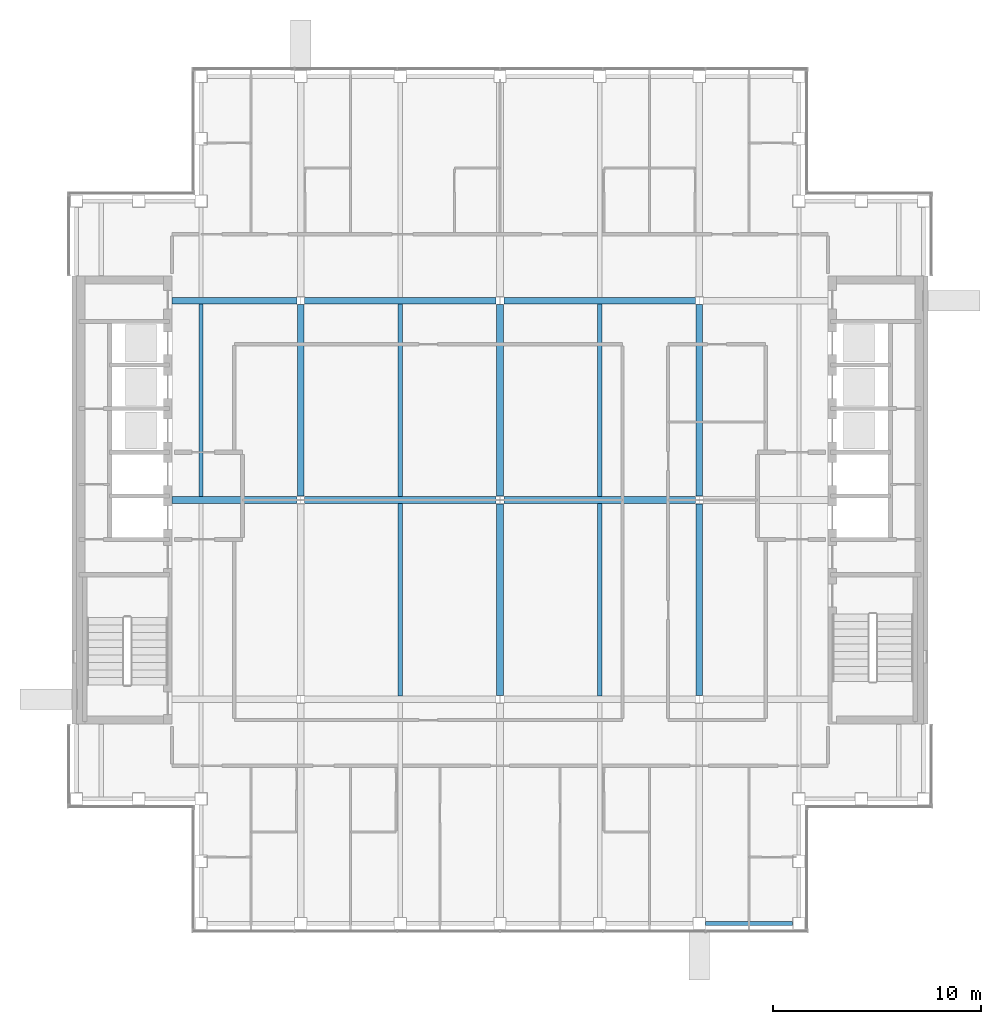
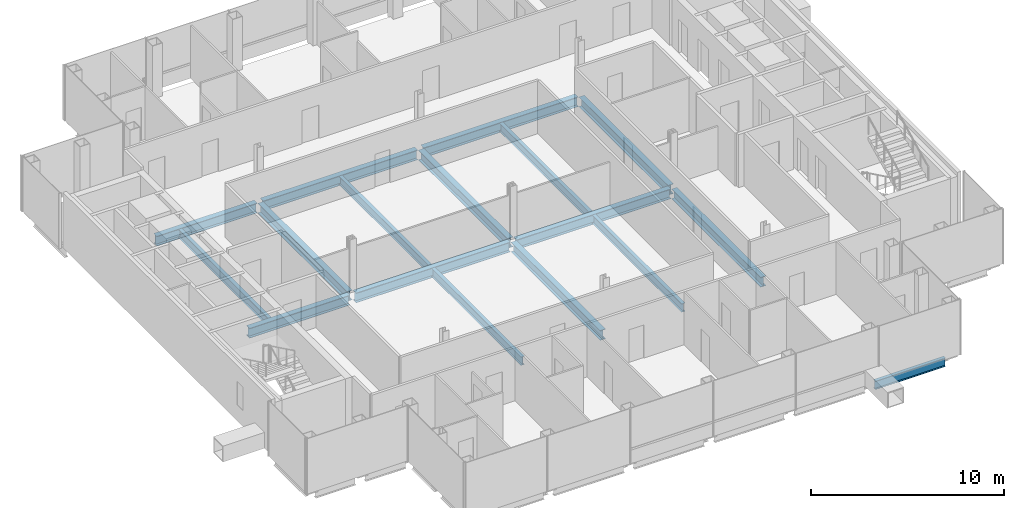
# One storey, part 5 of 15: 17 beams.
"""IFC4 building model written with IfcOpenShell, lengths in metres."""

from ifc_helpers import new_model, si_unit, direction, frame, origin, origin_2d, place, context, subcontext, project, spatial, i_section, extrude, material, material_profile, profile_set, type_object, element, save


model = new_model("IFC4")

# Units and contexts
model_context = context("Model", 3, precision=1e-05, world=origin(), true_north=direction((0.0, 1.0)))
body_context = subcontext(model_context, "Body", "Model", "MODEL_VIEW")
ifc_project = project(units=[si_unit("LENGTHUNIT", "METRE"), si_unit("AREAUNIT", "SQUARE_METRE"), si_unit("VOLUMEUNIT", "CUBIC_METRE"), si_unit("PLANEANGLEUNIT", "RADIAN"), si_unit("MASSUNIT", "GRAM", prefix="KILO")], contexts=[model_context])

# Site, building, storey
site_placement = place(None, origin())
site = spatial("IfcSite", under=ifc_project, at=site_placement, CompositionType="ELEMENT")
building_placement = place(site_placement, origin())
building = spatial("IfcBuilding", under=site, at=building_placement, Name="Cobrizo Arcos Hotel Tower", CompositionType="ELEMENT")
storey_placement = place(building_placement, frame((0.0, 0.0, 258.5)))
storey = spatial("IfcBuildingStorey", under=building, at=storey_placement, Name="L68", CompositionType="ELEMENT", Elevation=258.5)

# Beams
ifc_material = material(Name="Steel ASTM A992 Grade 50", Category="steel")
ifc_material_profile_1 = material_profile(ifc_material, i_section(OverallWidth=0.209228515625, OverallDepth=0.533447265625, WebThickness=0.01025390625, FlangeThickness=0.015625, at=origin_2d()), Name="W21X62")
ifc_profile_set_1 = profile_set([ifc_material_profile_1], Name="Steel ASTM A992 Grade 50")
beam_type_1 = type_object("IfcBeamType", Name="W21X62 joist", PredefinedType="JOIST", material=ifc_profile_set_1)
for number, where, z_axis, x_axis, name in (
    (1, (-14.39990234375, 0.163818359375, -0.416748046875), (0.0, 1.0, 0.0), (-1.0, 0.0, 0.0), "Floor joist J1, L68, no. 005"),
    (2, (-4.800048828125, -9.43603515625, -0.416748046875), (0.0, 1.0, 0.0), (-1.0, 0.0, 0.0), "Floor joist J1, L68, no. 008"),
    (3, (-4.800048828125, 0.163818359375, -0.416748046875), (0.0, 1.0, 0.0), (-1.0, 0.0, 0.0), "Floor joist J1, L68, no. 009"),
    (4, (4.800048828125, -9.43603515625, -0.416748046875), (0.0, 1.0, 0.0), (-1.0, 0.0, 0.0), "Floor joist J1, L68, no. 012"),
    (5, (4.800048828125, 0.163818359375, -0.416748046875), (0.0, 1.0, 0.0), (-1.0, 0.0, 0.0), "Floor joist J1, L68, no. 013"),
):
    element("IfcBeam", number, at=place(storey_placement, frame(where, z_axis=z_axis, x_axis=x_axis)), inside=storey, type_object=beam_type_1, Name=name, PredefinedType="JOIST", context=body_context, shape_type="SweptSolid", body=[
        extrude(i_section(OverallWidth=0.209228515625, OverallDepth=0.533447265625, WebThickness=0.01025390625, FlangeThickness=0.015625, at=origin_2d()), origin(), (0.0, 0.0, 1.0), 9.272216796875),
    ])
ifc_material_profile_2 = material_profile(ifc_material, i_section(OverallWidth=0.209228515625, OverallDepth=0.533447265625, WebThickness=0.01025390625, FlangeThickness=0.015625, at=origin_2d()), Name="W21X62")
ifc_profile_set_2 = profile_set([ifc_material_profile_2], Name="Steel ASTM A992 Grade 50")
beam_type_2 = type_object("IfcBeamType", Name="W21X62 spandrel", PredefinedType="SPANDREL", material=ifc_profile_set_2)
beam_1_placement = place(storey_placement, frame((9.89990234375, -20.39990234375, -0.416748046875), z_axis=(1.0, 0.0, 0.0), x_axis=(0.0, 1.0, 0.0)))
element("IfcBeam", 6, at=beam_1_placement, inside=storey, type_object=beam_type_2, Name="Spandrel beam W21X62, L68, no. 006", PredefinedType="SPANDREL", context=body_context, shape_type="SweptSolid", body=[
    extrude(i_section(OverallWidth=0.209228515625, OverallDepth=0.533447265625, WebThickness=0.01025390625, FlangeThickness=0.015625, at=origin_2d()), origin(), (0.0, 0.0, 1.0), 4.2001953125),
])
ifc_material_profile_3 = material_profile(ifc_material, i_section(OverallWidth=0.32763671875, OverallDepth=0.622314453125, WebThickness=0.015380859375, FlangeThickness=0.0244140625, at=origin_2d()), Name="W24X131")
ifc_profile_set_3 = profile_set([ifc_material_profile_3], Name="Steel ASTM A992 Grade 50")
beam_type_3 = type_object("IfcBeamType", Name="W24X131 girder", PredefinedType="BEAM", material=ifc_profile_set_3)
beam_2_placement = place(storey_placement, frame((-15.7900390625, 0.0, -0.461181640625), z_axis=(1.0, 0.0, 0.0), x_axis=(0.0, 1.0, 0.0)))
element("IfcBeam", 7, at=beam_2_placement, inside=storey, type_object=beam_type_3, Name="Floor girder G1, L68, no. 005", PredefinedType="BEAM", context=body_context, shape_type="SweptSolid", body=[
    extrude(i_section(OverallWidth=0.32763671875, OverallDepth=0.622314453125, WebThickness=0.015380859375, FlangeThickness=0.0244140625, at=origin_2d()), origin(), (0.0, 0.0, 1.0), 6.005859375),
])
for number, where, z_axis, x_axis, name in (
    (8, (-9.415771484375, 0.0, -0.461181640625), (1.0, 0.0, 0.0), (0.0, 1.0, 0.0), "Floor girder G1, L68, no. 006"),
    (9, (0.18408203125, 0.0, -0.461181640625), (1.0, 0.0, 0.0), (0.0, 1.0, 0.0), "Floor girder G1, L68, no. 007"),
):
    element("IfcBeam", number, at=place(storey_placement, frame(where, z_axis=z_axis, x_axis=x_axis)), inside=storey, type_object=beam_type_3, Name=name, PredefinedType="BEAM", context=body_context, shape_type="SweptSolid", body=[
        extrude(i_section(OverallWidth=0.32763671875, OverallDepth=0.622314453125, WebThickness=0.015380859375, FlangeThickness=0.0244140625, at=origin_2d()), origin(), (0.0, 0.0, 1.0), 9.231689453125),
    ])
beam_3_placement = place(storey_placement, frame((-15.7900390625, 9.60009765625, -0.461181640625), z_axis=(1.0, 0.0, 0.0), x_axis=(0.0, 1.0, 0.0)))
element("IfcBeam", 10, at=beam_3_placement, inside=storey, type_object=beam_type_3, Name="Floor girder G1, L68, no. 009", PredefinedType="BEAM", context=body_context, shape_type="SweptSolid", body=[
    extrude(i_section(OverallWidth=0.32763671875, OverallDepth=0.622314453125, WebThickness=0.015380859375, FlangeThickness=0.0244140625, at=origin_2d()), origin(), (0.0, 0.0, 1.0), 6.005859375),
])
for number, where, z_axis, x_axis, name in (
    (11, (-9.415771484375, 9.60009765625, -0.461181640625), (1.0, 0.0, 0.0), (0.0, 1.0, 0.0), "Floor girder G1, L68, no. 010"),
    (12, (0.18408203125, 9.60009765625, -0.461181640625), (1.0, 0.0, 0.0), (0.0, 1.0, 0.0), "Floor girder G1, L68, no. 011"),
    (13, (-9.60009765625, 0.18408203125, -0.461181640625), (0.0, 1.0, 0.0), (-1.0, 0.0, 0.0), "Floor girder G1, L68, no. 015"),
    (14, (0.0, -9.415771484375, -0.461181640625), (0.0, 1.0, 0.0), (-1.0, 0.0, 0.0), "Floor girder G1, L68, no. 018"),
    (15, (0.0, 0.18408203125, -0.461181640625), (0.0, 1.0, 0.0), (-1.0, 0.0, 0.0), "Floor girder G1, L68, no. 019"),
    (16, (9.60009765625, -9.415771484375, -0.461181640625), (0.0, 1.0, 0.0), (-1.0, 0.0, 0.0), "Floor girder G1, L68, no. 022"),
    (17, (9.60009765625, 0.18408203125, -0.461181640625), (0.0, 1.0, 0.0), (-1.0, 0.0, 0.0), "Floor girder G1, L68, no. 023"),
):
    element("IfcBeam", number, at=place(storey_placement, frame(where, z_axis=z_axis, x_axis=x_axis)), inside=storey, type_object=beam_type_3, Name=name, PredefinedType="BEAM", context=body_context, shape_type="SweptSolid", body=[
        extrude(i_section(OverallWidth=0.32763671875, OverallDepth=0.622314453125, WebThickness=0.015380859375, FlangeThickness=0.0244140625, at=origin_2d()), origin(), (0.0, 0.0, 1.0), 9.231689453125),
    ])

save(model, "model.ifc")
